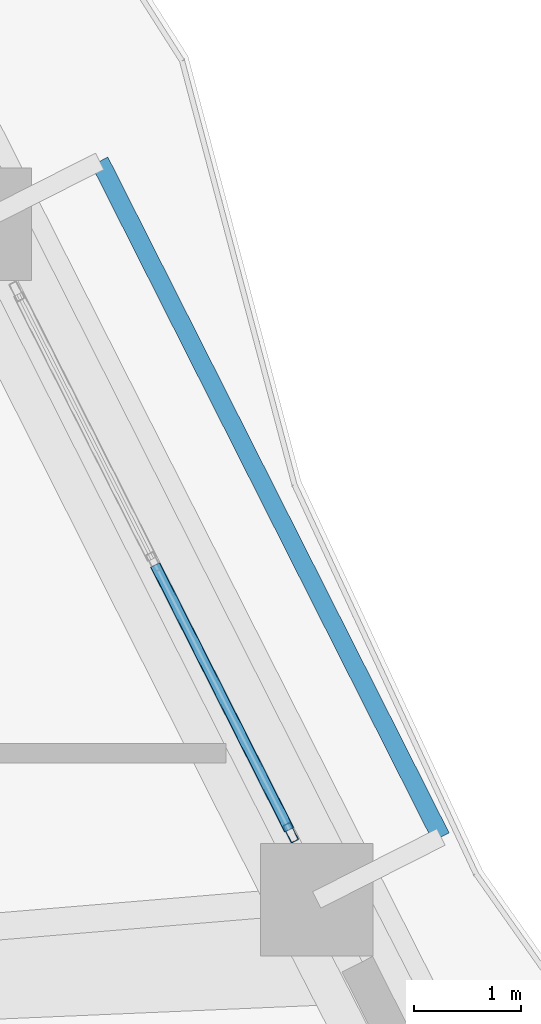
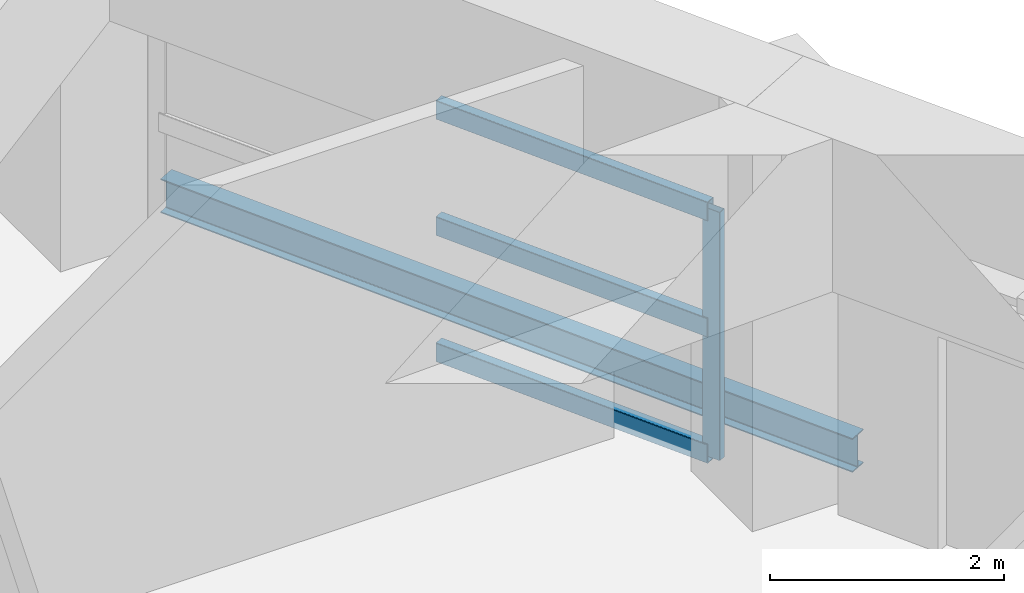
# One storey, part 12 of 23: 4 members, 1 beam, 1 element without a shape of its own.
"""IFC4 building model written with IfcOpenShell, lengths in metres."""

from ifc_helpers import new_model, si_unit, direction, frame, origin, origin_2d, place, context, subcontext, project, spatial, hollow_rectangle, i_section, extrude, material, layer, layer_set, material_profile, profile_set, type_object, element, aggregate, save


model = new_model("IFC4")

# Units and contexts
model_context = context("Model", 3, precision=1e-05, world=origin(), true_north=direction((0.0, 1.0)))
body_context = subcontext(model_context, "Body", "Model", "MODEL_VIEW")
ifc_project = project(units=[si_unit("LENGTHUNIT", "METRE"), si_unit("AREAUNIT", "SQUARE_METRE"), si_unit("VOLUMEUNIT", "CUBIC_METRE"), si_unit("PLANEANGLEUNIT", "RADIAN"), si_unit("MASSUNIT", "GRAM", prefix="KILO")], contexts=[model_context])

# Site, building, storey
site_placement = place(None, origin())
site = spatial("IfcSite", under=ifc_project, at=site_placement, CompositionType="ELEMENT")
building_placement = place(site_placement, origin())
building = spatial("IfcBuilding", under=site, at=building_placement, Name="Cinnabar Lancet Tower", CompositionType="ELEMENT")
storey_placement = place(building_placement, frame((0.0, 0.0, 94.199951171875)))
storey = spatial("IfcBuildingStorey", under=building, at=storey_placement, Name="L24", CompositionType="ELEMENT", Elevation=94.199951171875)

# Curtain wall, members
ifc_material_1 = material(Name="Thermally broken bronze-anodized aluminium and low-E glass", Category="aluminium")
ifc_layer = layer(ifc_material_1, 0.179931640625)
ifc_layer_set = layer_set([ifc_layer], Name="Thermally broken bronze-anodized aluminium and low-E glass")
curtain_wall_type = type_object("IfcCurtainWallType", Name="ENV-CW-SYS-03", PredefinedType="NOTDEFINED", material=ifc_layer_set)
curtain_wall_placement = place(storey_placement, origin())
curtain_wall = element("IfcCurtainWall", 1, at=curtain_wall_placement, inside=storey, type_object=curtain_wall_type, Name="L24 Face 3 Feature Curtain Wall", PredefinedType="NOTDEFINED")
ifc_material_2 = material(Name="Anodized architectural aluminium 6063-T6", Category="aluminium")
ifc_material_profile_1 = material_profile(ifc_material_2, hollow_rectangle(XDim=0.074951171875, YDim=0.179931640625, WallThickness=0.00390625, InnerFilletRadius=0.001953125, OuterFilletRadius=0.006103515625, at=origin_2d()), Name="CW-MUL 180x75x4")
ifc_profile_set_1 = profile_set([ifc_material_profile_1], Name="Anodized architectural aluminium 6063-T6")
member_type_1 = type_object("IfcMemberType", Name="ENV-CW-MUL-180", PredefinedType="MULLION", material=ifc_profile_set_1)
member_1_placement = place(storey_placement, frame((54.802490234375, 35.0078125, 0.0), z_axis=(0.0, 0.0, 1.0), x_axis=(-0.892286310468, -0.451469977022, 0.0)))
member_1 = element("IfcMember", 2, at=member_1_placement, type_object=member_type_1, Name="CW-03 mullion 1", PredefinedType="MULLION", context=body_context, shape_type="SweptSolid", body=[
    extrude(hollow_rectangle(XDim=0.074951171875, YDim=0.179931640625, WallThickness=0.00390625, InnerFilletRadius=0.001953125, OuterFilletRadius=0.006103515625, at=origin_2d()), origin(), (0.0, 0.0, 1.0), 2.590087890625),
])
ifc_material_3 = material(Name="Anodized architectural aluminium 6063-T6", Category="aluminium")
ifc_material_profile_2 = material_profile(ifc_material_3, hollow_rectangle(XDim=0.10009765625, YDim=0.199951171875, WallThickness=0.008056640625, InnerFilletRadius=0.00390625, OuterFilletRadius=0.011962890625, at=origin_2d()), Name="RHS 200x100x8")
ifc_profile_set_2 = profile_set([ifc_material_profile_2], Name="Anodized architectural aluminium 6063-T6")
member_type_2 = type_object("IfcMemberType", Name="ENV-CW-TRN-140", PredefinedType="USERDEFINED", material=ifc_profile_set_2)
member_2_placement = place(storey_placement, frame((54.788818359375, 35.034423828125, 0.030029296875), z_axis=(-0.451399561932, 0.892321934891, 0.0), x_axis=(-0.892321934891, -0.451399561932, 0.0)))
member_2 = element("IfcMember", 3, at=member_2_placement, type_object=member_type_2, Name="CW-03 transom 1.1", ObjectType="TRANSOM", PredefinedType="USERDEFINED", context=body_context, shape_type="SweptSolid", body=[
    extrude(hollow_rectangle(XDim=0.10009765625, YDim=0.199951171875, WallThickness=0.008056640625, InnerFilletRadius=0.00390625, OuterFilletRadius=0.011962890625, at=origin_2d()), origin(), (0.0, 0.0, 1.0), 2.77294921875),
])
member_3_placement = place(storey_placement, frame((54.788818359375, 35.034423828125, 1.34716796875), z_axis=(-0.451399561932, 0.892321934891, 0.0), x_axis=(-0.892321934891, -0.451399561932, 0.0)))
member_3 = element("IfcMember", 4, at=member_3_placement, type_object=member_type_2, Name="CW-03 transom 1.2", ObjectType="TRANSOM", PredefinedType="USERDEFINED", context=body_context, shape_type="SweptSolid", body=[
    extrude(hollow_rectangle(XDim=0.10009765625, YDim=0.199951171875, WallThickness=0.008056640625, InnerFilletRadius=0.00390625, OuterFilletRadius=0.011962890625, at=origin_2d()), origin(), (0.0, 0.0, 1.0), 2.77294921875),
])
member_4_placement = place(storey_placement, frame((54.788818359375, 35.034423828125, 2.56005859375), z_axis=(-0.451399561932, 0.892321934891, 0.0), x_axis=(-0.892321934891, -0.451399561932, 0.0)))
member_4 = element("IfcMember", 5, at=member_4_placement, type_object=member_type_2, Name="CW-03 transom 1.3", ObjectType="TRANSOM", PredefinedType="USERDEFINED", context=body_context, shape_type="SweptSolid", body=[
    extrude(hollow_rectangle(XDim=0.10009765625, YDim=0.199951171875, WallThickness=0.008056640625, InnerFilletRadius=0.00390625, OuterFilletRadius=0.011962890625, at=origin_2d()), origin(), (0.0, 0.0, 1.0), 2.77294921875),
])
aggregate(curtain_wall, [member_1, member_2, member_3, member_4])

# Beam
ifc_material_4 = material(Name="Structural steel S355", Category="steel")
ifc_material_profile_3 = material_profile(ifc_material_4, i_section(OverallWidth=0.17138671875, OverallDepth=0.35498046875, WebThickness=0.00732421875, FlangeThickness=0.011474609375, FilletRadius=0.01025390625, at=origin_2d()), Name="UKB 356x171x51")
ifc_profile_set_3 = profile_set([ifc_material_profile_3], Name="Structural steel S355")
beam_type = type_object("IfcBeamType", Name="STR-BM-WAV-TRIM", PredefinedType="SPANDREL", material=ifc_profile_set_3)
beam_placement = place(storey_placement, frame((56.2060546875, 34.967041015625, -0.41796875), z_axis=(-0.450773692627, 0.892638268301, 0.0), x_axis=(-0.892638268301, -0.450773692627, 0.0)))
element("IfcBeam", 6, at=beam_placement, inside=storey, type_object=beam_type, Name="L24 Face 3 Balcony Edge Trimmer", PredefinedType="SPANDREL", context=body_context, shape_type="SweptSolid", body=[
    extrude(i_section(OverallWidth=0.17138671875, OverallDepth=0.35498046875, WebThickness=0.00732421875, FlangeThickness=0.011474609375, FilletRadius=0.01025390625, at=origin_2d()), origin(), (0.0, 0.0, 1.0), 7.070068359375),
])

save(model, "model.ifc")
